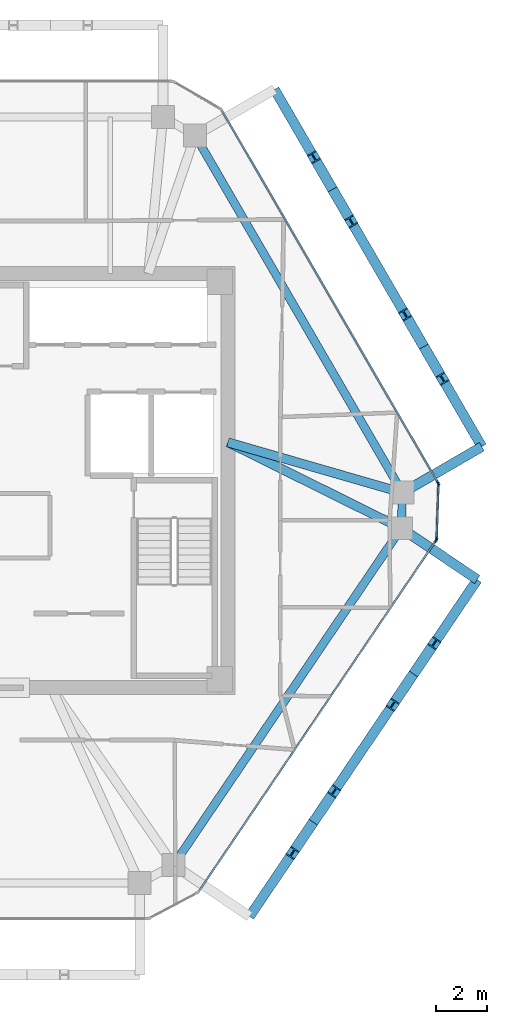
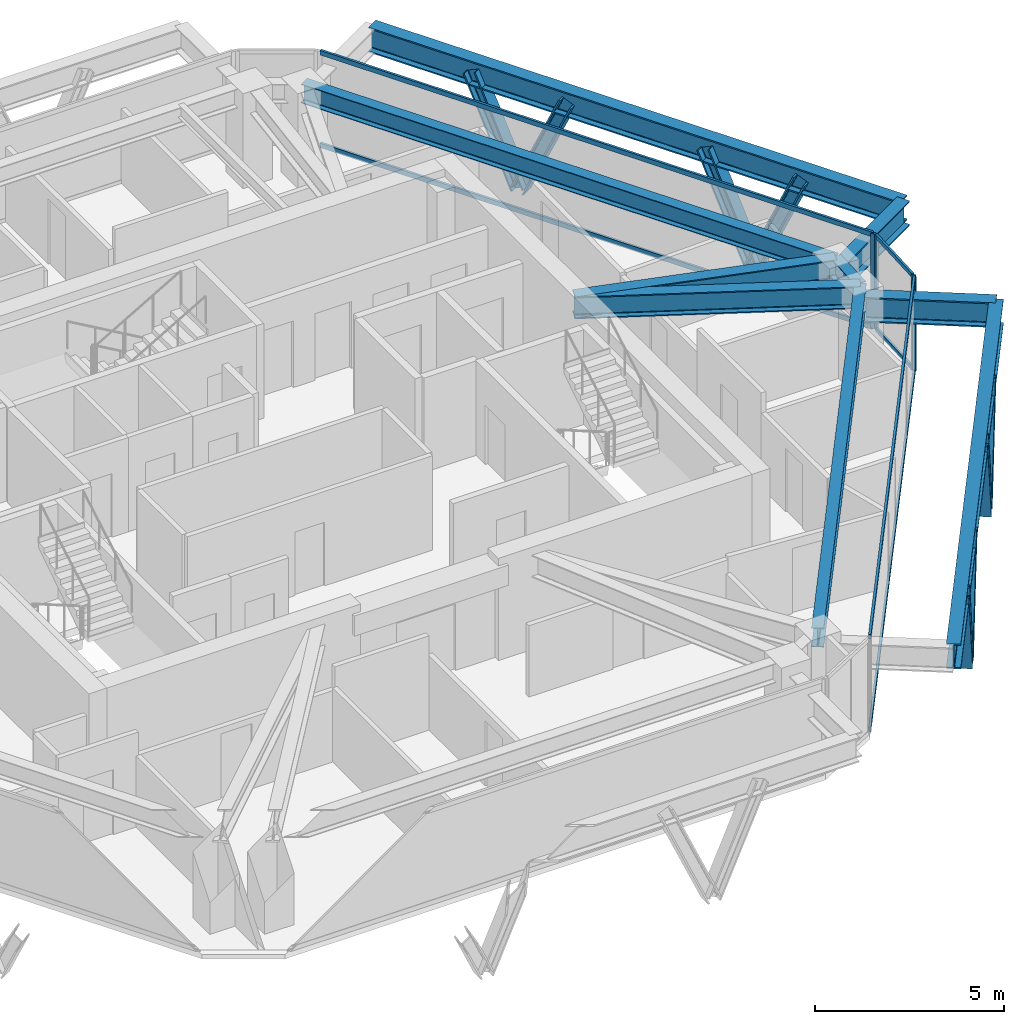
# One storey, part 5 of 11: 18 members, 9 beams, 3 elements without a shape of their own.
"""IFC4 building model written with IfcOpenShell, lengths in metres."""

from ifc_helpers import new_model, si_unit, direction, frame, origin, origin_2d, place, context, subcontext, project, spatial, rectangle, i_section, extrude, source, transform, mapped, material, layer, layer_set, material_profile, profile_set, type_object, type_shapes, element, aggregate, save


model = new_model("IFC4")

# Units and contexts
model_context = context("Model", 3, precision=1e-05, world=origin(), true_north=direction((0.0, 1.0)))
body_context = subcontext(model_context, "Body", "Model", "MODEL_VIEW")
ifc_project = project(units=[si_unit("LENGTHUNIT", "METRE"), si_unit("AREAUNIT", "SQUARE_METRE"), si_unit("VOLUMEUNIT", "CUBIC_METRE"), si_unit("PLANEANGLEUNIT", "RADIAN"), si_unit("MASSUNIT", "GRAM", prefix="KILO")], contexts=[model_context])

# Site, building, storey
site_placement = place(None, origin())
site = spatial("IfcSite", under=ifc_project, at=site_placement, CompositionType="ELEMENT")
building_placement = place(site_placement, origin())
building = spatial("IfcBuilding", under=site, at=building_placement, Name="Durnholm Broadcast Tower", CompositionType="ELEMENT")
storey_placement = place(building_placement, frame((0.0, 0.0, 231.5)))
storey = spatial("IfcBuildingStorey", under=building, at=storey_placement, Name="L64", CompositionType="ELEMENT", Elevation=231.5)

# Beams
ifc_material_1 = material(Name="Steel ASTM A992 Grade 50", Category="steel")
ifc_material_profile_1 = material_profile(ifc_material_1, i_section(OverallWidth=0.385009765625, OverallDepth=0.802978515625, WebThickness=0.023681640625, FlangeThickness=0.0419921875, FilletRadius=0.032958984375, at=origin_2d()), Name="W30X261")
ifc_profile_set_1 = profile_set([ifc_material_profile_1], Name="Steel ASTM A992 Grade 50")
beam_type_1 = type_object("IfcBeamType", Name="BM-EXO-TIE", PredefinedType="USERDEFINED", material=ifc_profile_set_1)
shared_shape_1 = source(origin(), body_context, "Body", "SweptSolid", [
    extrude(i_section(OverallWidth=0.385009765625, OverallDepth=0.802978515625, WebThickness=0.023681640625, FlangeThickness=0.0419921875, FilletRadius=0.032958984375, at=origin_2d()), origin(), (0.0, 0.0, 1.0), 3.4560546875),
])
beam_1_placement = place(storey_placement, frame((17.0947265625, -0.40380859375, 2.30859375), z_axis=(0.864924479231, 0.501902027518, 0.0), x_axis=(-0.501902027518, 0.864924479231, 0.0)))
element("IfcBeam", 1, at=beam_1_placement, inside=storey, type_object=beam_type_1, Name="L64 exoskeleton stand-off tie bracket F3.1", ObjectType="GIRDER", PredefinedType="USERDEFINED", context=body_context, shape_type="MappedRepresentation", body=[
    mapped(shared_shape_1, transform((0.0, 0.0, 0.0), x_axis=(1.0, 0.0, 0.0), y_axis=(0.0, 1.0, 0.0), z_axis=(0.0, 0.0, 1.0), scale=1.0)),
])
shared_shape_2 = source(origin(), body_context, "Body", "SweptSolid", [
    extrude(i_section(OverallWidth=0.385009765625, OverallDepth=0.802978515625, WebThickness=0.023681640625, FlangeThickness=0.0419921875, FilletRadius=0.032958984375, at=origin_2d()), origin(), (0.0, 0.0, 1.0), 3.455810546875),
])
beam_2_placement = place(storey_placement, frame((17.041748046875, -1.95068359375, 2.30859375), z_axis=(0.828446342252, -0.560068440469, 0.0), x_axis=(0.560068440469, 0.828446342252, 0.0)))
element("IfcBeam", 2, at=beam_2_placement, inside=storey, type_object=beam_type_1, Name="L64 exoskeleton stand-off tie bracket F2.2", ObjectType="GIRDER", PredefinedType="USERDEFINED", context=body_context, shape_type="MappedRepresentation", body=[
    mapped(shared_shape_2, transform((0.0, 0.0, 0.0), x_axis=(1.0, 0.0, 0.0), y_axis=(0.0, 1.0, 0.0), z_axis=(0.0, 0.0, 1.0), scale=1.0)),
])
ifc_material_profile_2 = material_profile(ifc_material_1, i_section(OverallWidth=0.3251953125, OverallDepth=0.6162109375, WebThickness=0.013916015625, FlangeThickness=0.021484375, FilletRadius=0.02783203125, at=origin_2d()), Name="W24X117")
ifc_profile_set_2 = profile_set([ifc_material_profile_2], Name="Steel ASTM A992 Grade 50")
beam_type_2 = type_object("IfcBeamType", Name="STL-SP-W24X117", PredefinedType="SPANDREL", material=ifc_profile_set_2)
shared_shape_3 = source(origin(), body_context, "Body", "SweptSolid", [
    extrude(i_section(OverallWidth=0.3251953125, OverallDepth=0.6162109375, WebThickness=0.013916015625, FlangeThickness=0.021484375, FilletRadius=0.02783203125, at=origin_2d()), origin(), (0.0, 0.0, 1.0), 1.39453125),
])
beam_3_placement = place(storey_placement, frame((16.97021484375, -0.47607421875, 2.73681640625), z_axis=(-0.034311541846, -0.999411185697, 0.0), x_axis=(0.999411185697, -0.034311541846, 0.0)))
element("IfcBeam", 3, at=beam_3_placement, inside=storey, type_object=beam_type_2, Name="L64 perimeter spandrel girder 08", PredefinedType="SPANDREL", context=body_context, shape_type="MappedRepresentation", body=[
    mapped(shared_shape_3, transform((0.0, 0.0, 0.0), x_axis=(1.0, 0.0, 0.0), y_axis=(0.0, 1.0, 0.0), z_axis=(0.0, 0.0, 1.0), scale=1.0)),
])
shared_shape_4 = source(origin(), body_context, "Body", "SweptSolid", [
    extrude(i_section(OverallWidth=0.3251953125, OverallDepth=0.6162109375, WebThickness=0.013916015625, FlangeThickness=0.021484375, FilletRadius=0.02783203125, at=origin_2d()), origin(), (0.0, 0.0, 1.0), 15.947265625),
])
beam_4_placement = place(storey_placement, frame((16.92236328125, -1.869873046875, 2.73681640625), z_axis=(-0.560062212489, -0.828450552623, 0.0), x_axis=(0.828450552623, -0.560062212489, 0.0)))
element("IfcBeam", 4, at=beam_4_placement, inside=storey, type_object=beam_type_2, Name="L64 perimeter spandrel girder 09", PredefinedType="SPANDREL", context=body_context, shape_type="MappedRepresentation", body=[
    mapped(shared_shape_4, transform((0.0, 0.0, 0.0), x_axis=(1.0, 0.0, 0.0), y_axis=(0.0, 1.0, 0.0), z_axis=(0.0, 0.0, 1.0), scale=1.0)),
])
shared_shape_5 = source(origin(), body_context, "Body", "SweptSolid", [
    extrude(i_section(OverallWidth=0.3251953125, OverallDepth=0.6162109375, WebThickness=0.013916015625, FlangeThickness=0.021484375, FilletRadius=0.02783203125, at=origin_2d()), origin(), (0.0, 0.0, 1.0), 16.20263671875),
])
type_shapes(beam_type_2, [shared_shape_3, shared_shape_4, shared_shape_5])
beam_5_placement = place(storey_placement, frame((8.83740234375, 13.53759765625, 2.73681640625), z_axis=(0.501943573333, -0.864900369516, 0.0), x_axis=(0.864900369516, 0.501943573333, 0.0)))
element("IfcBeam", 5, at=beam_5_placement, inside=storey, type_object=beam_type_2, Name="L64 perimeter spandrel girder 07", PredefinedType="SPANDREL", context=body_context, shape_type="MappedRepresentation", body=[
    mapped(shared_shape_5, transform((0.0, 0.0, 0.0), x_axis=(1.0, 0.0, 0.0), y_axis=(0.0, 1.0, 0.0), z_axis=(0.0, 0.0, 1.0), scale=1.0)),
])
shared_shape_6 = source(origin(), body_context, "Body", "SweptSolid", [
    extrude(i_section(OverallWidth=0.385009765625, OverallDepth=0.802978515625, WebThickness=0.023681640625, FlangeThickness=0.0419921875, FilletRadius=0.032958984375, at=origin_2d()), origin(), (0.0, 0.0, 1.0), 15.947021484375),
])
beam_6_placement = place(storey_placement, frame((10.973388671875, -17.097412109375, 2.30859375), z_axis=(0.560069315853, 0.828445750451, 0.0), x_axis=(-0.828445750451, 0.560069315853, 0.0)))
element("IfcBeam", 6, at=beam_6_placement, inside=storey, type_object=beam_type_1, Name="L64 exoskeleton collector spandrel F2", PredefinedType="SPANDREL", context=body_context, shape_type="MappedRepresentation", body=[
    mapped(shared_shape_6, transform((0.0, 0.0, 0.0), x_axis=(1.0, 0.0, 0.0), y_axis=(0.0, 1.0, 0.0), z_axis=(0.0, 0.0, 1.0), scale=1.0)),
])
shared_shape_7 = source(origin(), body_context, "Body", "SweptSolid", [
    extrude(i_section(OverallWidth=0.385009765625, OverallDepth=0.802978515625, WebThickness=0.023681640625, FlangeThickness=0.0419921875, FilletRadius=0.032958984375, at=origin_2d()), origin(), (0.0, 0.0, 1.0), 16.202880859375),
])
type_shapes(beam_type_1, [shared_shape_1, shared_shape_2, shared_shape_6, shared_shape_7])
beam_7_placement = place(storey_placement, frame((20.083984375, 1.330810546875, 2.30859375), z_axis=(-0.501948303381, 0.864897624423, 0.0), x_axis=(-0.864897624423, -0.501948303381, 0.0)))
element("IfcBeam", 7, at=beam_7_placement, inside=storey, type_object=beam_type_1, Name="L64 exoskeleton collector spandrel F3", PredefinedType="SPANDREL", context=body_context, shape_type="MappedRepresentation", body=[
    mapped(shared_shape_7, transform((0.0, 0.0, 0.0), x_axis=(1.0, 0.0, 0.0), y_axis=(0.0, 1.0, 0.0), z_axis=(0.0, 0.0, 1.0), scale=1.0)),
])
ifc_material_profile_3 = material_profile(ifc_material_1, i_section(OverallWidth=0.3564453125, OverallDepth=0.713623046875, WebThickness=0.01904296875, FlangeThickness=0.033935546875, FilletRadius=0.030517578125, at=origin_2d()), Name="W27X194")
ifc_profile_set_3 = profile_set([ifc_material_profile_3], Name="Steel ASTM A992 Grade 50")
beam_type_3 = type_object("IfcBeamType", Name="STL-GR-W27X194", PredefinedType="USERDEFINED", material=ifc_profile_set_3)
shared_shape_8 = source(origin(), body_context, "Body", "SweptSolid", [
    extrude(i_section(OverallWidth=0.3564453125, OverallDepth=0.713623046875, WebThickness=0.01904296875, FlangeThickness=0.033935546875, FilletRadius=0.030517578125, at=origin_2d()), origin(), (0.0, 0.0, 1.0), 7.124755859375),
])
beam_8_placement = place(storey_placement, frame((10.125, 1.5, 2.688232421875), z_axis=(0.960767767054, -0.277354101809, 0.0), x_axis=(0.277354101809, 0.960767767054, 0.0)))
element("IfcBeam", 8, at=beam_8_placement, inside=storey, type_object=beam_type_3, Name="L64 radial primary floor girder 08", ObjectType="GIRDER", PredefinedType="USERDEFINED", context=body_context, shape_type="MappedRepresentation", body=[
    mapped(shared_shape_8, transform((0.0, 0.0, 0.0), x_axis=(1.0, 0.0, 0.0), y_axis=(0.0, 1.0, 0.0), z_axis=(0.0, 0.0, 1.0), scale=1.0)),
])
shared_shape_9 = source(origin(), body_context, "Body", "SweptSolid", [
    extrude(i_section(OverallWidth=0.3564453125, OverallDepth=0.713623046875, WebThickness=0.01904296875, FlangeThickness=0.033935546875, FilletRadius=0.030517578125, at=origin_2d()), origin(), (0.0, 0.0, 1.0), 7.5869140625),
])
type_shapes(beam_type_3, [shared_shape_8, shared_shape_9])
beam_9_placement = place(storey_placement, frame((10.125, 1.5, 2.688232421875), z_axis=(0.895940903598, -0.444173273916, 0.0), x_axis=(0.444173273916, 0.895940903598, 0.0)))
element("IfcBeam", 9, at=beam_9_placement, inside=storey, type_object=beam_type_3, Name="L64 radial primary floor girder 09", ObjectType="GIRDER", PredefinedType="USERDEFINED", context=body_context, shape_type="MappedRepresentation", body=[
    mapped(shared_shape_9, transform((0.0, 0.0, 0.0), x_axis=(1.0, 0.0, 0.0), y_axis=(0.0, 1.0, 0.0), z_axis=(0.0, 0.0, 1.0), scale=1.0)),
])

# Members
ifc_material_2 = material(Name="Steel ASTM A913 Grade 65", Category="steel")
ifc_material_profile_4 = material_profile(ifc_material_2, i_section(OverallWidth=0.40625, OverallDepth=0.416015625, WebThickness=0.02978515625, FlangeThickness=0.048095703125, FilletRadius=0.030517578125, at=origin_2d()), Name="W14X257")
ifc_profile_set_4 = profile_set([ifc_material_profile_4], Name="Steel ASTM A913 Grade 65")
member_type_1 = type_object("IfcMemberType", Name="STL-DG-W14X257", PredefinedType="BRACE", material=ifc_profile_set_4)
shared_shape_10 = source(origin(), body_context, "Body", "SweptSolid", [
    extrude(i_section(OverallWidth=0.40625, OverallDepth=0.416015625, WebThickness=0.02978515625, FlangeThickness=0.048095703125, FilletRadius=0.030517578125, at=origin_2d()), origin(), (0.0, 0.0, 1.0), 3.60791015625),
])
type_shapes(member_type_1, [shared_shape_10])
for number, where, z_axis, x_axis, name in (
    (10, (13.47412109375, -13.398193359375, -0.991455078125), (-0.226349134478, -0.334888450383, 0.914667040579), (0.828505003222, -0.559981660089, 0.0), "L64 stand-off diagrid brace F2.D1.1"),
    (11, (13.47412109375, -13.398193359375, -0.991455078125), (0.226354263477, 0.334828369412, 0.914687766641), (-0.828452496411, 0.560059337206, 0.0), "L64 stand-off diagrid brace F2.D1.2"),
    (12, (17.404052734375, -7.585205078125, -0.991455078125), (-0.226349134478, -0.334888450383, 0.914667040579), (0.828505003222, -0.559981660089, 0.0), "L64 stand-off diagrid brace F2.D2.1"),
    (13, (17.404052734375, -7.585205078125, -0.991455078125), (0.226354263477, 0.334828369412, 0.914687766641), (-0.828452496411, 0.560059337206, 0.0), "L64 stand-off diagrid brace F2.D2.2"),
    (14, (17.806640625, 5.2548828125, -0.991455078125), (0.202871189729, -0.349577240207, 0.914679743685), (0.864906184135, 0.501933554014, 0.0), "L64 stand-off diagrid brace F3.D1.1"),
    (15, (17.806640625, 5.2548828125, -0.991455078125), (-0.202871189729, 0.349577240207, 0.914679743685), (-0.864906184135, -0.501933554014, 0.0), "L64 stand-off diagrid brace F3.D1.2"),
    (16, (14.228271484375, 11.4208984375, -0.991455078125), (0.202871189729, -0.349577240207, 0.914679743685), (0.864906184135, 0.501933554014, 0.0), "L64 stand-off diagrid brace F3.D2.1"),
    (17, (14.228271484375, 11.4208984375, -0.991455078125), (-0.202875988452, 0.349517838677, 0.914701379553), (-0.864863994925, -0.502006245263, 0.0), "L64 stand-off diagrid brace F3.D2.2"),
):
    element("IfcMember", number, at=place(storey_placement, frame(where, z_axis=z_axis, x_axis=x_axis)), inside=storey, type_object=member_type_1, Name=name, PredefinedType="BRACE", context=body_context, shape_type="MappedRepresentation", body=[
        mapped(shared_shape_10, transform((0.0, 0.0, 0.0), x_axis=(1.0, 0.0, 0.0), y_axis=(0.0, 1.0, 0.0), z_axis=(0.0, 0.0, 1.0), scale=1.0)),
    ])

# Curtain wall, members
ifc_material_3 = material(Name="Aluminium and Solar Control IGU", Category="aluminium")
ifc_layer_1 = layer(ifc_material_3, 0.1650390625)
ifc_layer_set_1 = layer_set([ifc_layer_1], Name="Aluminium and Solar Control IGU")
curtain_wall_type_1 = type_object("IfcCurtainWallType", Name="CW-SYS-5", PredefinedType="NOTDEFINED", material=ifc_layer_set_1)
curtain_wall_1_placement = place(storey_placement, origin())
curtain_wall_1 = element("IfcCurtainWall", 18, at=curtain_wall_1_placement, inside=storey, type_object=curtain_wall_type_1, Name="L64 curtain wall CW-CORNER CW-L64-CRN-07", PredefinedType="NOTDEFINED")
ifc_material_4 = material(Name="Aluminium 6063-T6", Category="aluminium")
ifc_material_profile_5 = material_profile(ifc_material_4, rectangle(XDim=0.06494140625, YDim=0.1298828125, at=origin_2d()), Name="CWT65X130")
ifc_profile_set_5 = profile_set([ifc_material_profile_5], Name="Aluminium 6063-T6")
member_type_2 = type_object("IfcMemberType", Name="CW-SYS-5-TRN", PredefinedType="USERDEFINED", material=ifc_profile_set_5)
shared_shape_11 = source(origin(), body_context, "Body", "SweptSolid", [
    extrude(rectangle(XDim=0.06494140625, YDim=0.1298828125, at=origin_2d()), origin(), (0.0, 0.0, 1.0), 2.06982421875),
])
type_shapes(member_type_2, [shared_shape_11])
member_1_placement = place(storey_placement, frame((18.381103515625, -0.186767578125, 0.032470703125), z_axis=(-0.034324150719, -0.999410752733, 0.0), x_axis=(0.999410752733, -0.034324150719, 0.0)))
member_1 = element("IfcMember", 19, at=member_1_placement, type_object=member_type_2, Name="CW-CORNER transom 1.1", ObjectType="TRANSOM", PredefinedType="USERDEFINED", context=body_context, shape_type="MappedRepresentation", body=[
    mapped(shared_shape_11, transform((0.0, 0.0, 0.0), x_axis=(1.0, 0.0, 0.0), y_axis=(0.0, 1.0, 0.0), z_axis=(0.0, 0.0, 1.0), scale=1.0)),
])
member_2_placement = place(storey_placement, frame((18.381103515625, -0.186767578125, 3.027587890625), z_axis=(-0.034324150719, -0.999410752733, 0.0), x_axis=(0.999410752733, -0.034324150719, 0.0)))
member_2 = element("IfcMember", 20, at=member_2_placement, type_object=member_type_2, Name="CW-CORNER transom 1.2", ObjectType="TRANSOM", PredefinedType="USERDEFINED", context=body_context, shape_type="MappedRepresentation", body=[
    mapped(shared_shape_11, transform((0.0, 0.0, 0.0), x_axis=(1.0, 0.0, 0.0), y_axis=(0.0, 1.0, 0.0), z_axis=(0.0, 0.0, 1.0), scale=1.0)),
])
ifc_material_profile_6 = material_profile(ifc_material_4, rectangle(XDim=0.06494140625, YDim=0.1650390625, at=origin_2d()), Name="CWM65X165")
ifc_profile_set_6 = profile_set([ifc_material_profile_6], Name="Aluminium 6063-T6")
member_type_3 = type_object("IfcMemberType", Name="CW-SYS-5-MUL", PredefinedType="MULLION", material=ifc_profile_set_6)
shared_shape_12 = source(origin(), body_context, "Body", "SweptSolid", [
    extrude(rectangle(XDim=0.06494140625, YDim=0.1650390625, at=origin_2d()), origin(), (0.0, 0.0, 1.0), 3.06005859375),
])
type_shapes(member_type_3, [shared_shape_12])
member_3_placement = place(storey_placement, frame((18.382080078125, -0.154296875, 0.0), z_axis=(0.0, 0.0, 1.0), x_axis=(0.999410955514, -0.034318245849, 0.0)))
member_3 = element("IfcMember", 21, at=member_3_placement, type_object=member_type_3, Name="CW-CORNER mullion 1", PredefinedType="MULLION", context=body_context, shape_type="MappedRepresentation", body=[
    mapped(shared_shape_12, transform((0.0, 0.0, 0.0), x_axis=(1.0, 0.0, 0.0), y_axis=(0.0, 1.0, 0.0), z_axis=(0.0, 0.0, 1.0), scale=1.0)),
])
member_4_placement = place(storey_placement, frame((18.308837890625, -2.287841796875, 0.0), z_axis=(0.0, 0.0, 1.0), x_axis=(0.999410955514, -0.034318245849, 0.0)))
member_4 = element("IfcMember", 22, at=member_4_placement, type_object=member_type_3, Name="CW-CORNER mullion 2", PredefinedType="MULLION", context=body_context, shape_type="MappedRepresentation", body=[
    mapped(shared_shape_12, transform((0.0, 0.0, 0.0), x_axis=(1.0, 0.0, 0.0), y_axis=(0.0, 1.0, 0.0), z_axis=(0.0, 0.0, 1.0), scale=1.0)),
])
aggregate(curtain_wall_1, [member_3, member_4, member_1, member_2])

# Curtain wall, member
ifc_layer_2 = layer(ifc_material_3, 0.18994140625)
ifc_layer_set_2 = layer_set([ifc_layer_2], Name="Aluminium and Solar Control IGU")
curtain_wall_type_2 = type_object("IfcCurtainWallType", Name="CW-SYS-4", PredefinedType="NOTDEFINED", material=ifc_layer_set_2)
curtain_wall_2_placement = place(storey_placement, origin())
curtain_wall_2 = element("IfcCurtainWall", 23, at=curtain_wall_2_placement, inside=storey, type_object=curtain_wall_type_2, Name="L64 curtain wall CW-Z34-VIS CW-L64-F06", PredefinedType="NOTDEFINED")
ifc_material_profile_7 = material_profile(ifc_material_4, rectangle(XDim=0.070068359375, YDim=0.18994140625, at=origin_2d()), Name="CWM70X190")
ifc_profile_set_7 = profile_set([ifc_material_profile_7], Name="Aluminium 6063-T6")
member_type_4 = type_object("IfcMemberType", Name="CW-SYS-4-MUL", PredefinedType="MULLION", material=ifc_profile_set_7)
shared_shape_13 = source(origin(), body_context, "Body", "SweptSolid", [
    extrude(rectangle(XDim=0.070068359375, YDim=0.18994140625, at=origin_2d()), origin(), (0.0, 0.0, 1.0), 3.06005859375),
])
type_shapes(member_type_4, [shared_shape_13])
member_5_placement = place(storey_placement, frame((18.36572265625, -0.09130859375, 0.0), z_axis=(0.0, 0.0, 1.0), x_axis=(0.864899883824, 0.50194441023, 0.0)))
member_5 = element("IfcMember", 24, at=member_5_placement, type_object=member_type_4, Name="CW-Z34-VIS mullion 2", PredefinedType="MULLION", context=body_context, shape_type="MappedRepresentation", body=[
    mapped(shared_shape_13, transform((0.0, 0.0, 0.0), x_axis=(1.0, 0.0, 0.0), y_axis=(0.0, 1.0, 0.0), z_axis=(0.0, 0.0, 1.0), scale=1.0)),
])

# Curtain wall, members
curtain_wall_3_placement = place(storey_placement, origin())
curtain_wall_3 = element("IfcCurtainWall", 25, at=curtain_wall_3_placement, inside=storey, type_object=curtain_wall_type_2, Name="L64 curtain wall CW-Z34-VIS CW-L64-F08", PredefinedType="NOTDEFINED")
member_6_placement = place(storey_placement, frame((18.2880859375, -2.349365234375, 0.0), z_axis=(0.0, 0.0, 1.0), x_axis=(0.828443431662, -0.560072745753, 0.0)))
member_6 = element("IfcMember", 26, at=member_6_placement, type_object=member_type_4, Name="CW-Z34-VIS mullion 1", PredefinedType="MULLION", context=body_context, shape_type="MappedRepresentation", body=[
    mapped(shared_shape_13, transform((0.0, 0.0, 0.0), x_axis=(1.0, 0.0, 0.0), y_axis=(0.0, 1.0, 0.0), z_axis=(0.0, 0.0, 1.0), scale=1.0)),
])
ifc_material_profile_8 = material_profile(ifc_material_4, rectangle(XDim=0.070068359375, YDim=0.14990234375, at=origin_2d()), Name="CWT70X150")
ifc_profile_set_8 = profile_set([ifc_material_profile_8], Name="Aluminium 6063-T6")
member_type_5 = type_object("IfcMemberType", Name="CW-SYS-4-TRN", PredefinedType="USERDEFINED", material=ifc_profile_set_8)
shared_shape_14 = source(origin(), body_context, "Body", "SweptSolid", [
    extrude(rectangle(XDim=0.070068359375, YDim=0.14990234375, at=origin_2d()), origin(), (0.0, 0.0, 1.0), 16.55859375),
])
member_7_placement = place(storey_placement, frame((18.2685546875, -2.37841796875, 0.034912109375), z_axis=(-0.560071338091, -0.828444383317, 0.0), x_axis=(0.828444383317, -0.560071338091, 0.0)))
member_7 = element("IfcMember", 27, at=member_7_placement, type_object=member_type_5, Name="CW-Z34-VIS transom 1.1", ObjectType="TRANSOM", PredefinedType="USERDEFINED", context=body_context, shape_type="MappedRepresentation", body=[
    mapped(shared_shape_14, transform((0.0, 0.0, 0.0), x_axis=(1.0, 0.0, 0.0), y_axis=(0.0, 1.0, 0.0), z_axis=(0.0, 0.0, 1.0), scale=1.0)),
])
member_8_placement = place(storey_placement, frame((18.2685546875, -2.37841796875, 3.02490234375), z_axis=(-0.560071338091, -0.828444383317, 0.0), x_axis=(0.828444383317, -0.560071338091, 0.0)))
member_8 = element("IfcMember", 28, at=member_8_placement, type_object=member_type_5, Name="CW-Z34-VIS transom 1.2", ObjectType="TRANSOM", PredefinedType="USERDEFINED", context=body_context, shape_type="MappedRepresentation", body=[
    mapped(shared_shape_14, transform((0.0, 0.0, 0.0), x_axis=(1.0, 0.0, 0.0), y_axis=(0.0, 1.0, 0.0), z_axis=(0.0, 0.0, 1.0), scale=1.0)),
])
aggregate(curtain_wall_3, [member_6, member_7, member_8])

# Member
shared_shape_15 = source(origin(), body_context, "Body", "SweptSolid", [
    extrude(rectangle(XDim=0.070068359375, YDim=0.14990234375, at=origin_2d()), origin(), (0.0, 0.0, 1.0), 16.83984375),
])
type_shapes(member_type_5, [shared_shape_14, shared_shape_15])
member_9_placement = place(storey_placement, frame((9.8955078125, 14.503662109375, 0.034912109375), z_axis=(0.501945239029, -0.86489940283, 0.0), x_axis=(0.86489940283, 0.501945239029, 0.0)))
member_9 = element("IfcMember", 29, at=member_9_placement, type_object=member_type_5, Name="CW-Z34-VIS transom 1.1", ObjectType="TRANSOM", PredefinedType="USERDEFINED", context=body_context, shape_type="MappedRepresentation", body=[
    mapped(shared_shape_15, transform((0.0, 0.0, 0.0), x_axis=(1.0, 0.0, 0.0), y_axis=(0.0, 1.0, 0.0), z_axis=(0.0, 0.0, 1.0), scale=1.0)),
])

member_10_placement = place(storey_placement, frame((9.8955078125, 14.503662109375, 3.02490234375), z_axis=(0.501945239029, -0.86489940283, 0.0), x_axis=(0.86489940283, 0.501945239029, 0.0)))
member_10 = element("IfcMember", 30, at=member_10_placement, type_object=member_type_5, Name="CW-Z34-VIS transom 1.2", ObjectType="TRANSOM", PredefinedType="USERDEFINED", context=body_context, shape_type="MappedRepresentation", body=[
    mapped(shared_shape_15, transform((0.0, 0.0, 0.0), x_axis=(1.0, 0.0, 0.0), y_axis=(0.0, 1.0, 0.0), z_axis=(0.0, 0.0, 1.0), scale=1.0)),
])

aggregate(curtain_wall_2, [member_5, member_9, member_10])

save(model, "model.ifc")
